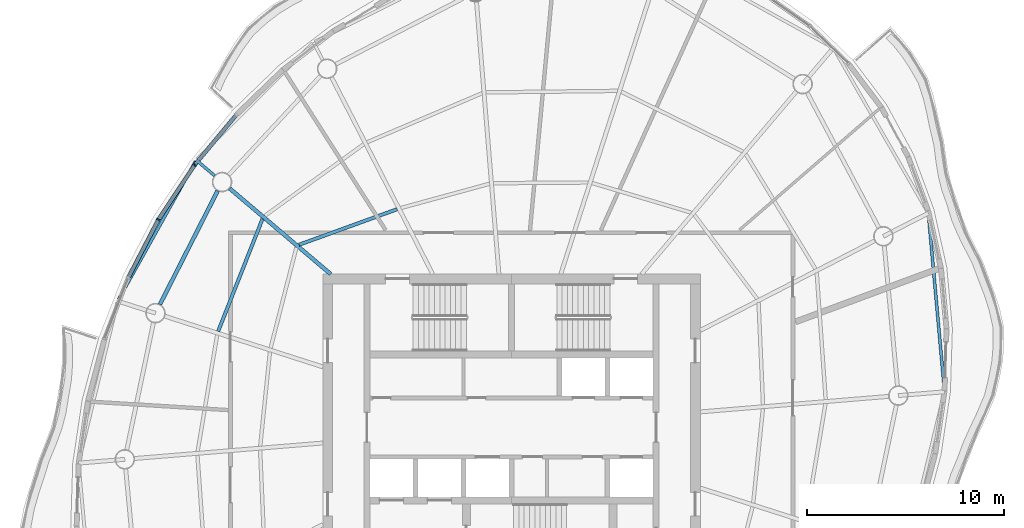
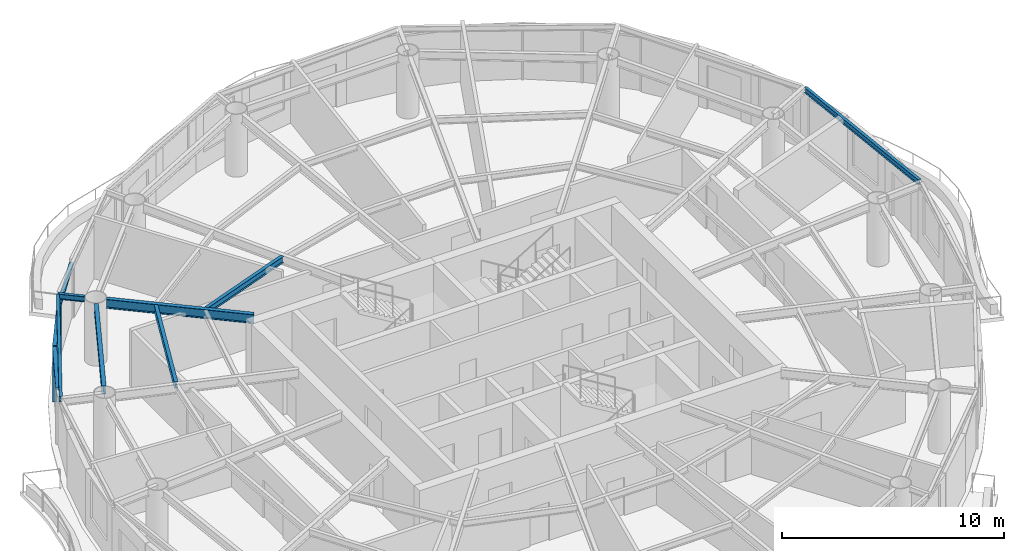
# One storey, part 4 of 13: 7 beams, 5 members, 3 elements without a shape of their own.
"""IFC4 building model written with IfcOpenShell, lengths in metres."""

from ifc_helpers import new_model, si_unit, direction, frame, origin, origin_2d, place, context, subcontext, project, spatial, rectangle, i_section, extrude, material, material_profile, profile_set, type_object, element, aggregate, save


model = new_model("IFC4")

# Units and contexts
model_context = context("Model", 3, precision=1e-05, world=origin(), true_north=direction((0.0, 1.0)))
body_context = subcontext(model_context, "Body", "Model", "MODEL_VIEW")
ifc_project = project(units=[si_unit("LENGTHUNIT", "METRE"), si_unit("AREAUNIT", "SQUARE_METRE"), si_unit("VOLUMEUNIT", "CUBIC_METRE"), si_unit("PLANEANGLEUNIT", "RADIAN"), si_unit("MASSUNIT", "GRAM", prefix="KILO")], contexts=[model_context])

# Site, building, storey
site_placement = place(None, origin())
site = spatial("IfcSite", under=ifc_project, at=site_placement, CompositionType="ELEMENT")
building_placement = place(site_placement, origin())
building = spatial("IfcBuilding", under=site, at=building_placement, Name="Vermilion Reach Broadcast Tower", CompositionType="ELEMENT")
storey_placement = place(building_placement, frame((0.0, 0.0, 272.10009765625)))
storey = spatial("IfcBuildingStorey", under=building, at=storey_placement, Name="L67", CompositionType="ELEMENT", Elevation=272.10009765625)

# Beams
ifc_material_1 = material(Name="Steel S355J2", Category="steel")
ifc_material_profile_1 = material_profile(ifc_material_1, i_section(OverallWidth=0.14990234375, OverallDepth=0.300048828125, WebThickness=0.006591796875, FlangeThickness=0.009033203125, at=origin_2d()), Name="S355J2 HN 300x150x6.5x9")
ifc_profile_set_1 = profile_set([ifc_material_profile_1], Name="Steel S355J2")
beam_type_1 = type_object("IfcBeamType", Name="EB5 HN 300x150x6.5x9", PredefinedType="BEAM", material=ifc_profile_set_1)
beam_1_placement = place(storey_placement, frame((-22.07177734375, 13.52685546875, 3.2998046875), z_axis=(-0.48668856218, -0.873575551079, 0.0), x_axis=(0.873575551079, -0.48668856218, 0.0)))
element("IfcBeam", 1, at=beam_1_placement, inside=storey, type_object=beam_type_1, Name="Edge beam EB5-04", PredefinedType="BEAM", context=body_context, shape_type="SweptSolid", body=[
    extrude(i_section(OverallWidth=0.14990234375, OverallDepth=0.300048828125, WebThickness=0.006591796875, FlangeThickness=0.009033203125, at=origin_2d()), origin(), (0.0, 0.0, 1.0), 8.026123046875),
])
beam_2_placement = place(storey_placement, frame((16.00732421875, 1.91357421875, 3.2998046875), z_axis=(-0.090664207473, 0.995881519802, 0.0), x_axis=(-0.995881519802, -0.090664207473, 0.0)))
element("IfcBeam", 2, at=beam_2_placement, inside=storey, type_object=beam_type_1, Name="Edge beam EB5-14", PredefinedType="BEAM", context=body_context, shape_type="SweptSolid", body=[
    extrude(i_section(OverallWidth=0.14990234375, OverallDepth=0.300048828125, WebThickness=0.006591796875, FlangeThickness=0.009033203125, at=origin_2d()), origin(), (0.0, 0.0, 1.0), 8.910400390625),
])
ifc_material_2 = material(Name="Steel S355J2", Category="steel")
ifc_material_profile_2 = material_profile(ifc_material_2, i_section(OverallWidth=0.199951171875, OverallDepth=0.5, WebThickness=0.010009765625, FlangeThickness=0.01611328125, at=origin_2d()), Name="S355J2 HN 500x200x10x16")
ifc_profile_set_2 = profile_set([ifc_material_profile_2], Name="Steel S355J2")
beam_type_2 = type_object("IfcBeamType", Name="G5 HN 500x200x10x16", PredefinedType="BEAM", material=ifc_profile_set_2)
beam_3_placement = place(storey_placement, frame((-15.20068359375, 7.800048828125, 3.199951171875), z_axis=(-0.762793125612, 0.646642596431, 0.0), x_axis=(-0.646642596431, -0.762793125612, 0.0)))
element("IfcBeam", 3, at=beam_3_placement, inside=storey, type_object=beam_type_2, Name="Girder G5-04", PredefinedType="BEAM", context=body_context, shape_type="SweptSolid", body=[
    extrude(i_section(OverallWidth=0.199951171875, OverallDepth=0.5, WebThickness=0.010009765625, FlangeThickness=0.01611328125, at=origin_2d()), origin(), (0.0, 0.0, 1.0), 6.732421875),
])
ifc_material_3 = material(Name="Steel S355J2", Category="steel")
ifc_material_profile_3 = material_profile(ifc_material_3, i_section(OverallWidth=0.14990234375, OverallDepth=0.300048828125, WebThickness=0.006591796875, FlangeThickness=0.009033203125, at=origin_2d()), Name="S355J2 HN 300x150x6.5x9")
ifc_profile_set_3 = profile_set([ifc_material_profile_3], Name="Steel S355J2")
beam_type_3 = type_object("IfcBeamType", Name="GS5 HN 300x150x6.5x9", PredefinedType="BEAM", material=ifc_profile_set_3)
beam_4_placement = place(storey_placement, frame((-21.098876953125, 12.80029296875, 3.2998046875), z_axis=(-0.762827383271, 0.646602183211, 0.0), x_axis=(-0.646602183211, -0.762827383271, 0.0)))
element("IfcBeam", 4, at=beam_4_placement, inside=storey, type_object=beam_type_3, Name="Cantilever stub GS5-04", PredefinedType="BEAM", context=body_context, shape_type="SweptSolid", body=[
    extrude(i_section(OverallWidth=0.14990234375, OverallDepth=0.300048828125, WebThickness=0.006591796875, FlangeThickness=0.009033203125, at=origin_2d()), origin(), (0.0, 0.0, 1.0), 1.226806640625),
])
ifc_material_4 = material(Name="Steel S355J2", Category="steel")
ifc_material_profile_4 = material_profile(ifc_material_4, i_section(OverallWidth=0.199951171875, OverallDepth=0.449951171875, WebThickness=0.009033203125, FlangeThickness=0.013916015625, at=origin_2d()), Name="S355J2 HN 450x200x9x14")
ifc_profile_set_4 = profile_set([ifc_material_profile_4], Name="Steel S355J2")
beam_type_4 = type_object("IfcBeamType", Name="RB5 HN 450x200x9x14", PredefinedType="BEAM", material=ifc_profile_set_4)
beam_5_placement = place(storey_placement, frame((-20.944091796875, 12.03125, 3.224853515625), z_axis=(-0.453052302855, -0.891483937532, 0.0), x_axis=(0.891483937532, -0.453052302855, 0.0)))
element("IfcBeam", 5, at=beam_5_placement, inside=storey, type_object=beam_type_4, Name="Ring beam RB5-04", PredefinedType="BEAM", context=body_context, shape_type="SweptSolid", body=[
    extrude(i_section(OverallWidth=0.199951171875, OverallDepth=0.449951171875, WebThickness=0.009033203125, FlangeThickness=0.013916015625, at=origin_2d()), origin(), (0.0, 0.0, 1.0), 6.47900390625),
])
ifc_material_5 = material(Name="Steel S355J2", Category="steel")
ifc_material_profile_5 = material_profile(ifc_material_5, i_section(OverallWidth=0.175048828125, OverallDepth=0.35009765625, WebThickness=0.007080078125, FlangeThickness=0.010986328125, at=origin_2d()), Name="S355J2 HN 350x175x7x11")
ifc_profile_set_5 = profile_set([ifc_material_profile_5], Name="Steel S355J2")
beam_type_5 = type_object("IfcBeamType", Name="SB5 HN 350x175x7x11", PredefinedType="BEAM", material=ifc_profile_set_5)
beam_6_placement = place(storey_placement, frame((-11.81787109375, 11.0966796875, 3.27490234375), z_axis=(-0.940220108875, -0.340567389613, 0.0), x_axis=(0.340567389613, -0.940220108875, 0.0)))
element("IfcBeam", 6, at=beam_6_placement, inside=storey, type_object=beam_type_5, Name="Secondary beam SB5-03-1", PredefinedType="BEAM", context=body_context, shape_type="SweptSolid", body=[
    extrude(i_section(OverallWidth=0.175048828125, OverallDepth=0.35009765625, WebThickness=0.007080078125, FlangeThickness=0.010986328125, at=origin_2d()), origin(), (0.0, 0.0, 1.0), 5.303466796875),
])
beam_7_placement = place(storey_placement, frame((-18.6630859375, 10.604248046875, 3.27490234375), z_axis=(-0.366931189603, -0.930248086317, 0.0), x_axis=(0.930248086317, -0.366931189603, 0.0)))
element("IfcBeam", 7, at=beam_7_placement, inside=storey, type_object=beam_type_5, Name="Secondary beam SB5-04-2", PredefinedType="BEAM", context=body_context, shape_type="SweptSolid", body=[
    extrude(i_section(OverallWidth=0.175048828125, OverallDepth=0.35009765625, WebThickness=0.007080078125, FlangeThickness=0.010986328125, at=origin_2d()), origin(), (0.0, 0.0, 1.0), 6.141357421875),
])

# Curtain wall, member
ifc_material_6 = material(Name="Low-e laminated clear glass in aluminium frame", Category="aluminium")
curtain_wall_type = type_object("IfcCurtainWallType", Name="Slot curtain wall", PredefinedType="NOTDEFINED", material=ifc_material_6)
placement = place(storey_placement, origin())
curtain_wall_1 = element("IfcCurtainWall", 8, at=placement, inside=storey, type_object=curtain_wall_type, Name="Slot curtain wall L67 11", PredefinedType="NOTDEFINED")
ifc_material_7 = material(Name="Anodised aluminium", Category="aluminium")
ifc_material_profile_6 = material_profile(ifc_material_7, rectangle(XDim=0.199951171875, YDim=0.080078125, at=origin_2d()), Name="Slot mullion 80 x 200")
ifc_profile_set_6 = profile_set([ifc_material_profile_6], Name="Anodised aluminium")
member_type_1 = type_object("IfcMemberType", Name="Slot mullion 80 x 200", PredefinedType="MULLION", material=ifc_profile_set_6)
member_1_placement = place(storey_placement, frame((-22.109130859375, 13.350341796875, 0.0), z_axis=(0.0, 0.0, 1.0), x_axis=(0.802339274357, -0.596868234056, 0.0)))
member_1 = element("IfcMember", 9, at=member_1_placement, type_object=member_type_1, Name="Slot mullion L67 11", PredefinedType="MULLION", context=body_context, shape_type="SweptSolid", body=[
    extrude(rectangle(XDim=0.199951171875, YDim=0.080078125, at=origin_2d()), origin(), (0.0, 0.0, 1.0), 3.0498046875),
])

curtain_wall_2 = element("IfcCurtainWall", 10, at=placement, inside=storey, type_object=curtain_wall_type, Name="Slot curtain wall L67 12", PredefinedType="NOTDEFINED")
member_2_placement = place(storey_placement, frame((-23.954833984375, 10.567626953125, 0.0), z_axis=(0.0, 0.0, 1.0), x_axis=(0.861806255655, -0.507237594933, 0.0)))
member_2 = element("IfcMember", 11, at=member_2_placement, type_object=member_type_1, Name="Slot mullion L67 12", PredefinedType="MULLION", context=body_context, shape_type="SweptSolid", body=[
    extrude(rectangle(XDim=0.199951171875, YDim=0.080078125, at=origin_2d()), origin(), (0.0, 0.0, 1.0), 3.0498046875),
])

curtain_wall_3 = element("IfcCurtainWall", 12, at=placement, inside=storey, type_object=curtain_wall_type, Name="Slot curtain wall L67 10", PredefinedType="NOTDEFINED")
ifc_material_8 = material(Name="Anodised aluminium", Category="aluminium")
ifc_material_profile_7 = material_profile(ifc_material_8, rectangle(XDim=0.199951171875, YDim=0.10009765625, at=origin_2d()), Name="Slot transom 200 x 100")
ifc_profile_set_7 = profile_set([ifc_material_profile_7], Name="Anodised aluminium")
member_type_2 = type_object("IfcMemberType", Name="Slot transom 200 x 100", PredefinedType="USERDEFINED", material=ifc_profile_set_7)
member_3_placement = place(storey_placement, frame((-20.012451171875, 15.872314453125, 3.0), z_axis=(-0.639324193865, -0.768937302476, 0.0), x_axis=(0.768937302476, -0.639324193865, 0.0)))
member_3 = element("IfcMember", 13, at=member_3_placement, type_object=member_type_2, Name="Slot transom L67 10.1", ObjectType="TRANSOM", PredefinedType="USERDEFINED", context=body_context, shape_type="SweptSolid", body=[
    extrude(rectangle(XDim=0.199951171875, YDim=0.10009765625, at=origin_2d()), origin(), (0.0, 0.0, 1.0), 3.23974609375),
])
aggregate(curtain_wall_3, [member_3])

# Member
member_4_placement = place(storey_placement, frame((-22.13134765625, 13.31689453125, 3.0), z_axis=(-0.552727781831, -0.833361865694, 0.0), x_axis=(0.833361865694, -0.552727781831, 0.0)))
member_4 = element("IfcMember", 14, at=member_4_placement, type_object=member_type_2, Name="Slot transom L67 11.1", ObjectType="TRANSOM", PredefinedType="USERDEFINED", context=body_context, shape_type="SweptSolid", body=[
    extrude(rectangle(XDim=0.199951171875, YDim=0.10009765625, at=origin_2d()), origin(), (0.0, 0.0, 1.0), 3.2587890625),
])

aggregate(curtain_wall_1, [member_1, member_4])

member_5_placement = place(storey_placement, frame((-23.97314453125, 10.5322265625, 3.0), z_axis=(-0.460260311256, -0.887784008576, 0.0), x_axis=(0.887784008576, -0.460260311256, 0.0)))
member_5 = element("IfcMember", 15, at=member_5_placement, type_object=member_type_2, Name="Slot transom L67 12.1", ObjectType="TRANSOM", PredefinedType="USERDEFINED", context=body_context, shape_type="SweptSolid", body=[
    extrude(rectangle(XDim=0.199951171875, YDim=0.10009765625, at=origin_2d()), origin(), (0.0, 0.0, 1.0), 3.259033203125),
])

aggregate(curtain_wall_2, [member_2, member_5])

save(model, "model.ifc")
